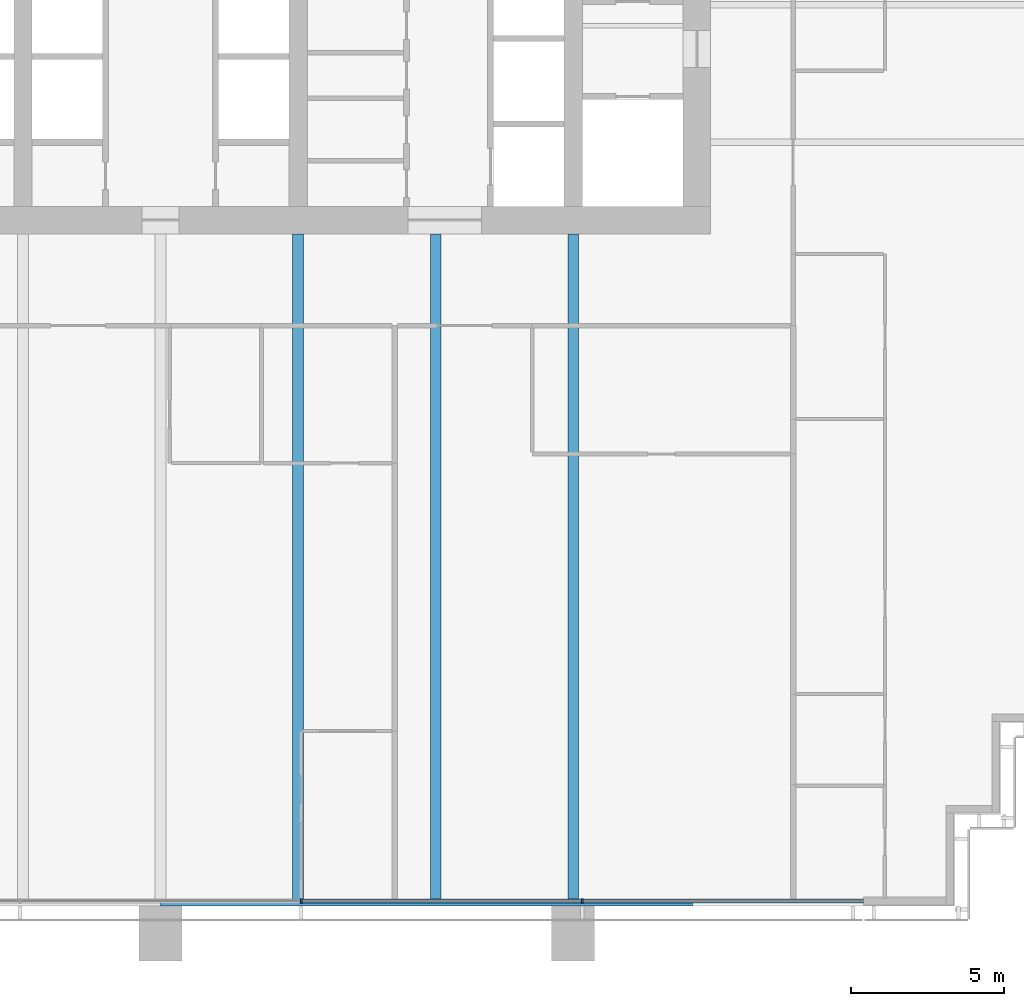
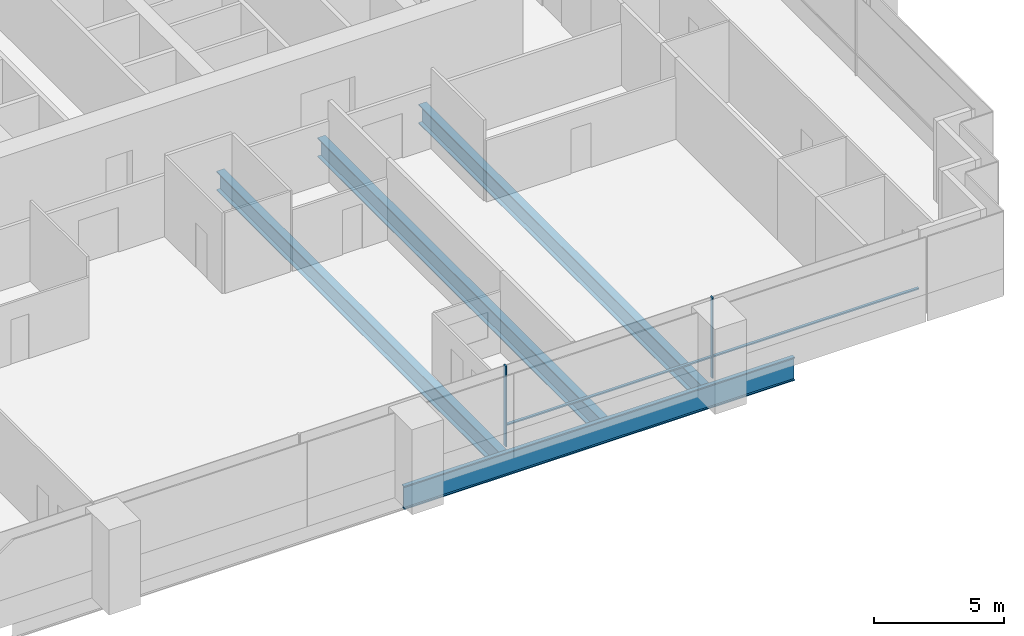
# One storey, part 5 of 18: 4 beams, 4 members, 1 element without a shape of its own.
"""IFC4 building model written with IfcOpenShell, lengths in metres."""

from ifc_helpers import new_model, si_unit, direction, frame, origin, origin_2d, place, context, subcontext, project, spatial, rectangle, i_section, extrude, material, material_profile, profile_set, type_object, element, aggregate, save


model = new_model("IFC4")

# Units and contexts
model_context = context("Model", 3, precision=1e-05, world=origin(), true_north=direction((0.0, 1.0)))
body_context = subcontext(model_context, "Body", "Model", "MODEL_VIEW")
ifc_project = project(units=[si_unit("LENGTHUNIT", "METRE"), si_unit("AREAUNIT", "SQUARE_METRE"), si_unit("VOLUMEUNIT", "CUBIC_METRE"), si_unit("PLANEANGLEUNIT", "RADIAN"), si_unit("MASSUNIT", "GRAM", prefix="KILO")], contexts=[model_context])

# Site, building, storey
site_placement = place(None, origin())
site = spatial("IfcSite", under=ifc_project, at=site_placement, CompositionType="ELEMENT")
building_placement = place(site_placement, origin())
building = spatial("IfcBuilding", under=site, at=building_placement, Name="Rattan Terrace Tower", CompositionType="ELEMENT")
storey_placement = place(building_placement, frame((0.0, 0.0, 134.10009765625)))
storey = spatial("IfcBuildingStorey", under=building, at=storey_placement, Name="L30", CompositionType="ELEMENT", Elevation=134.10009765625)

# Curtain wall, members
ifc_material_1 = material(Name="Aluminium and glass", Category="aluminium")
curtain_wall_type = type_object("IfcCurtainWallType", Name="Facade Unitised Curtain Wall", PredefinedType="NOTDEFINED", material=ifc_material_1)
curtain_wall_placement = place(storey_placement, origin())
curtain_wall = element("IfcCurtainWall", 1, at=curtain_wall_placement, inside=storey, type_object=curtain_wall_type, Name="Curtain wall L30-4", PredefinedType="NOTDEFINED")
ifc_material_2 = material(Name="Aluminium", Category="aluminium")
ifc_material_profile_1 = material_profile(ifc_material_2, rectangle(XDim=0.06005859375, YDim=0.159912109375, at=origin_2d()), Name="Aluminium 60x160")
ifc_profile_set_1 = profile_set([ifc_material_profile_1], Name="Aluminium")
member_type_1 = type_object("IfcMemberType", Name="Facade CW Mullion 60x160", PredefinedType="MULLION", material=ifc_profile_set_1)
member_1_placement = place(storey_placement, frame((4.60302734375, -29.330078125, 0.0), z_axis=(0.0, 0.0, 1.0), x_axis=(1.0, 0.0, 0.0)))
member_1 = element("IfcMember", 2, at=member_1_placement, type_object=member_type_1, Name="Mullion cwl-L30-004.4", PredefinedType="MULLION", context=body_context, shape_type="SweptSolid", body=[
    extrude(rectangle(XDim=0.06005859375, YDim=0.159912109375, at=origin_2d()), origin(), (0.0, 0.0, 1.0), 3.7998046875),
])
member_2_placement = place(storey_placement, frame((13.803955078125, -29.330078125, 0.0), z_axis=(0.0, 0.0, 1.0), x_axis=(1.0, 0.0, 0.0)))
member_2 = element("IfcMember", 3, at=member_2_placement, type_object=member_type_1, Name="Mullion cwl-L30-004.5", PredefinedType="MULLION", context=body_context, shape_type="SweptSolid", body=[
    extrude(rectangle(XDim=0.06005859375, YDim=0.159912109375, at=origin_2d()), origin(), (0.0, 0.0, 1.0), 3.7998046875),
])
ifc_material_3 = material(Name="Aluminium", Category="aluminium")
ifc_material_profile_2 = material_profile(ifc_material_3, rectangle(XDim=0.1201171875, YDim=0.06005859375, at=origin_2d()), Name="Aluminium 120x60")
ifc_profile_set_2 = profile_set([ifc_material_profile_2], Name="Aluminium")
member_type_2 = type_object("IfcMemberType", Name="Facade CW Transom 120x60", PredefinedType="USERDEFINED", material=ifc_profile_set_2)
member_3_placement = place(storey_placement, frame((4.633056640625, -29.330078125, 1.0), z_axis=(1.0, 0.0, 0.0), x_axis=(0.0, 1.0, 0.0)))
member_3 = element("IfcMember", 4, at=member_3_placement, type_object=member_type_2, Name="Transom cwl-L30-004.4", ObjectType="TRANSOM", PredefinedType="USERDEFINED", context=body_context, shape_type="SweptSolid", body=[
    extrude(rectangle(XDim=0.1201171875, YDim=0.06005859375, at=origin_2d()), origin(), (0.0, 0.0, 1.0), 9.140869140625),
])
member_4_placement = place(storey_placement, frame((13.833984375, -29.330078125, 1.0), z_axis=(1.0, 0.0, 0.0), x_axis=(0.0, 1.0, 0.0)))
member_4 = element("IfcMember", 5, at=member_4_placement, type_object=member_type_2, Name="Transom cwl-L30-004.5", ObjectType="TRANSOM", PredefinedType="USERDEFINED", context=body_context, shape_type="SweptSolid", body=[
    extrude(rectangle(XDim=0.1201171875, YDim=0.06005859375, at=origin_2d()), origin(), (0.0, 0.0, 1.0), 9.166015625),
])
aggregate(curtain_wall, [member_1, member_2, member_3, member_4])

# Beams
ifc_material_4 = material(Name="Steel S460", Category="steel")
ifc_material_profile_3 = material_profile(ifc_material_4, i_section(OverallWidth=0.179931640625, OverallDepth=1.10009765625, WebThickness=0.01611328125, FlangeThickness=0.050048828125, at=origin_2d()), Name="PG 1100x180-16-50")
ifc_profile_set_3 = profile_set([ifc_material_profile_3], Name="Steel S460")
beam_type_1 = type_object("IfcBeamType", Name="Frame edge girder PG 1100x180-16-50", PredefinedType="SPANDREL", material=ifc_profile_set_3)
beam_placement = place(storey_placement, frame((17.39990234375, -29.409912109375, -0.75), z_axis=(-1.0, 0.0, 0.0), x_axis=(0.0, -1.0, 0.0)))
element("IfcBeam", 6, at=beam_placement, inside=storey, type_object=beam_type_1, Name="gdr-L30-002", PredefinedType="SPANDREL", context=body_context, shape_type="SweptSolid", body=[
    extrude(i_section(OverallWidth=0.179931640625, OverallDepth=1.10009765625, WebThickness=0.01611328125, FlangeThickness=0.050048828125, at=origin_2d()), origin(), (0.0, 0.0, 1.0), 17.39990234375),
])
ifc_material_5 = material(Name="Steel S460", Category="steel")
ifc_material_profile_4 = material_profile(ifc_material_5, i_section(OverallWidth=0.35009765625, OverallDepth=0.89990234375, WebThickness=0.013916015625, FlangeThickness=0.0400390625, at=origin_2d()), Name="PG 900x350-14-40")
ifc_profile_set_4 = profile_set([ifc_material_profile_4], Name="Steel S460")
beam_type_2 = type_object("IfcBeamType", Name="Frame floor beam PG 900x350-14-40", PredefinedType="JOIST", material=ifc_profile_set_4)
for number, where, z_axis, x_axis, name in (
    (7, (4.5, -29.320068359375, -0.650146484375), (0.0, 1.0, 0.0), (-1.0, 0.0, 0.0), "bm-L30-007"),
    (8, (9.0, -29.320068359375, -0.650146484375), (0.0, 1.0, 0.0), (-1.0, 0.0, 0.0), "bm-L30-008"),
    (9, (13.5, -29.320068359375, -0.650146484375), (0.0, 1.0, 0.0), (-1.0, 0.0, 0.0), "bm-L30-009"),
):
    element("IfcBeam", number, at=place(storey_placement, frame(where, z_axis=z_axis, x_axis=x_axis)), inside=storey, type_object=beam_type_2, Name=name, PredefinedType="JOIST", context=body_context, shape_type="SweptSolid", body=[
        extrude(i_section(OverallWidth=0.35009765625, OverallDepth=0.89990234375, WebThickness=0.013916015625, FlangeThickness=0.0400390625, at=origin_2d()), origin(), (0.0, 0.0, 1.0), 21.820068359375),
    ])

save(model, "model.ifc")
